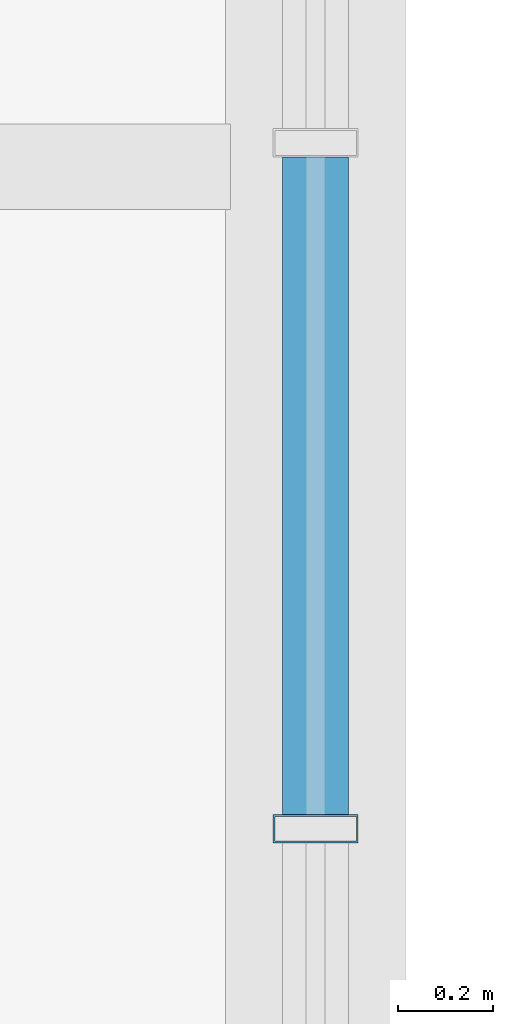
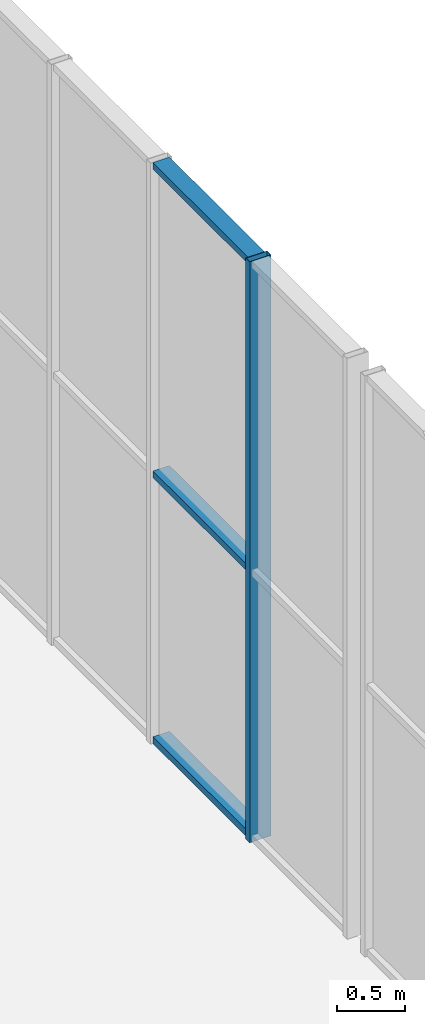
# One storey, part 39 of 58: 4 members, 1 element without a shape of its own.
"""IFC4 building model written with IfcOpenShell, lengths in metres."""

from ifc_helpers import new_model, si_unit, direction, frame, origin, origin_2d, place, context, subcontext, project, spatial, hollow_rectangle, extrude, material, material_profile, profile_set, type_object, element, aggregate, save


model = new_model("IFC4")

# Units and contexts
model_context = context("Model", 3, precision=1e-05, world=origin(), true_north=direction((0.0, 1.0)))
body_context = subcontext(model_context, "Body", "Model", "MODEL_VIEW")
ifc_project = project(units=[si_unit("LENGTHUNIT", "METRE"), si_unit("AREAUNIT", "SQUARE_METRE"), si_unit("VOLUMEUNIT", "CUBIC_METRE"), si_unit("PLANEANGLEUNIT", "RADIAN"), si_unit("MASSUNIT", "GRAM", prefix="KILO")], contexts=[model_context])

# Site, building, storey
site_placement = place(None, origin())
site = spatial("IfcSite", under=ifc_project, at=site_placement, CompositionType="ELEMENT")
building_placement = place(site_placement, origin())
building = spatial("IfcBuilding", under=site, at=building_placement, Name="Khurvash Pelagic Aquarium", CompositionType="ELEMENT")
storey_placement = place(building_placement, frame((0.0, 0.0, 24.60009765625)))
storey = spatial("IfcBuildingStorey", under=building, at=storey_placement, Name="L05", CompositionType="ELEMENT", Elevation=24.60009765625)

# Curtain wall, members
ifc_material_1 = material(Name="Anodised aluminium and low-E laminated glass", Category="aluminium")
curtain_wall_type = type_object("IfcCurtainWallType", Name="CW-04", PredefinedType="USERDEFINED", material=ifc_material_1)
curtain_wall_placement = place(storey_placement, origin())
curtain_wall = element("IfcCurtainWall", 1, at=curtain_wall_placement, inside=storey, type_object=curtain_wall_type, Name="L05 East Cantilever Overlook Curtain Wall CW-04", ObjectType="UNITISED CURTAIN WALL", PredefinedType="USERDEFINED")
ifc_material_2 = material(Name="Extruded aluminium AW-6063-T6", Category="aluminium")
ifc_material_profile_1 = material_profile(ifc_material_2, hollow_rectangle(XDim=0.06005859375, YDim=0.179931640625, WallThickness=0.00390625, at=origin_2d()), Name="CWM60X180X4")
ifc_profile_set_1 = profile_set([ifc_material_profile_1], Name="Extruded aluminium AW-6063-T6")
member_type_1 = type_object("IfcMemberType", Name="CM-01", PredefinedType="MULLION", material=ifc_profile_set_1)
member_1_placement = place(storey_placement, frame((121.800048828125, 19.300048828125, 0.0), z_axis=(0.0, 0.0, 1.0), x_axis=(0.0, 1.0, 0.0)))
member_1 = element("IfcMember", 2, at=member_1_placement, type_object=member_type_1, Name="CW-04 mullion 2", PredefinedType="MULLION", context=body_context, shape_type="SweptSolid", body=[
    extrude(hollow_rectangle(XDim=0.06005859375, YDim=0.179931640625, WallThickness=0.00390625, at=origin_2d()), origin(), (0.0, 0.0, 1.0), 5.179931640625),
])
ifc_material_profile_2 = material_profile(ifc_material_2, hollow_rectangle(XDim=0.139892578125, YDim=0.06005859375, WallThickness=0.00390625, at=origin_2d()), Name="CWT140X60X4")
ifc_profile_set_2 = profile_set([ifc_material_profile_2], Name="Extruded aluminium AW-6063-T6")
member_type_2 = type_object("IfcMemberType", Name="CT-01", PredefinedType="USERDEFINED", material=ifc_profile_set_2)
member_2_placement = place(storey_placement, frame((121.800048828125, 19.330078125, 0.02978515625), z_axis=(0.0, 1.0, 0.0), x_axis=(-1.0, 0.0, 0.0)))
member_2 = element("IfcMember", 3, at=member_2_placement, type_object=member_type_2, Name="CW-04 transom 2.1", ObjectType="TRANSOM", PredefinedType="USERDEFINED", context=body_context, shape_type="SweptSolid", body=[
    extrude(hollow_rectangle(XDim=0.139892578125, YDim=0.06005859375, WallThickness=0.00390625, at=origin_2d()), origin(), (0.0, 0.0, 1.0), 1.389892578125),
])
member_3_placement = place(storey_placement, frame((121.800048828125, 19.330078125, 2.39990234375), z_axis=(0.0, 1.0, 0.0), x_axis=(-1.0, 0.0, 0.0)))
member_3 = element("IfcMember", 4, at=member_3_placement, type_object=member_type_2, Name="CW-04 transom 2.2", ObjectType="TRANSOM", PredefinedType="USERDEFINED", context=body_context, shape_type="SweptSolid", body=[
    extrude(hollow_rectangle(XDim=0.139892578125, YDim=0.06005859375, WallThickness=0.00390625, at=origin_2d()), origin(), (0.0, 0.0, 1.0), 1.389892578125),
])
member_4_placement = place(storey_placement, frame((121.800048828125, 19.330078125, 5.14990234375), z_axis=(0.0, 1.0, 0.0), x_axis=(-1.0, 0.0, 0.0)))
member_4 = element("IfcMember", 5, at=member_4_placement, type_object=member_type_2, Name="CW-04 transom 2.3", ObjectType="TRANSOM", PredefinedType="USERDEFINED", context=body_context, shape_type="SweptSolid", body=[
    extrude(hollow_rectangle(XDim=0.139892578125, YDim=0.06005859375, WallThickness=0.00390625, at=origin_2d()), origin(), (0.0, 0.0, 1.0), 1.389892578125),
])
aggregate(curtain_wall, [member_1, member_2, member_3, member_4])

save(model, "model.ifc")
